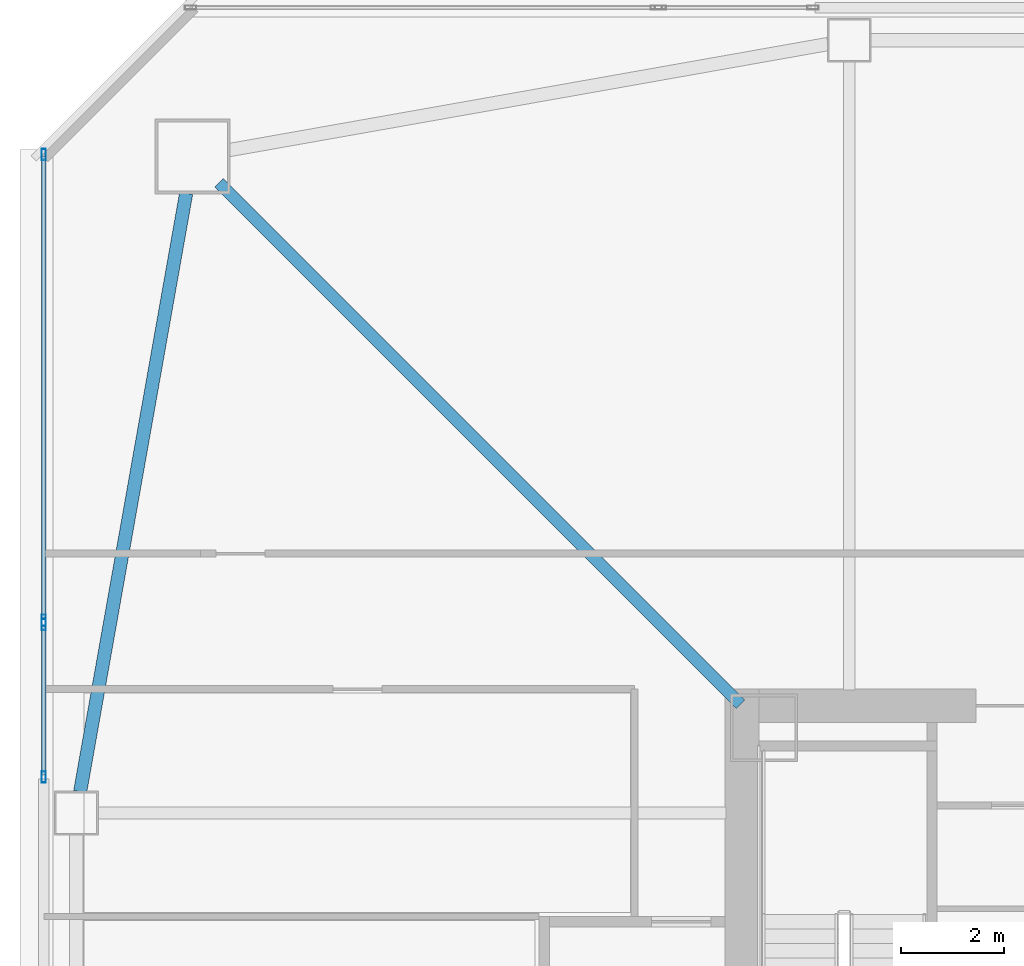
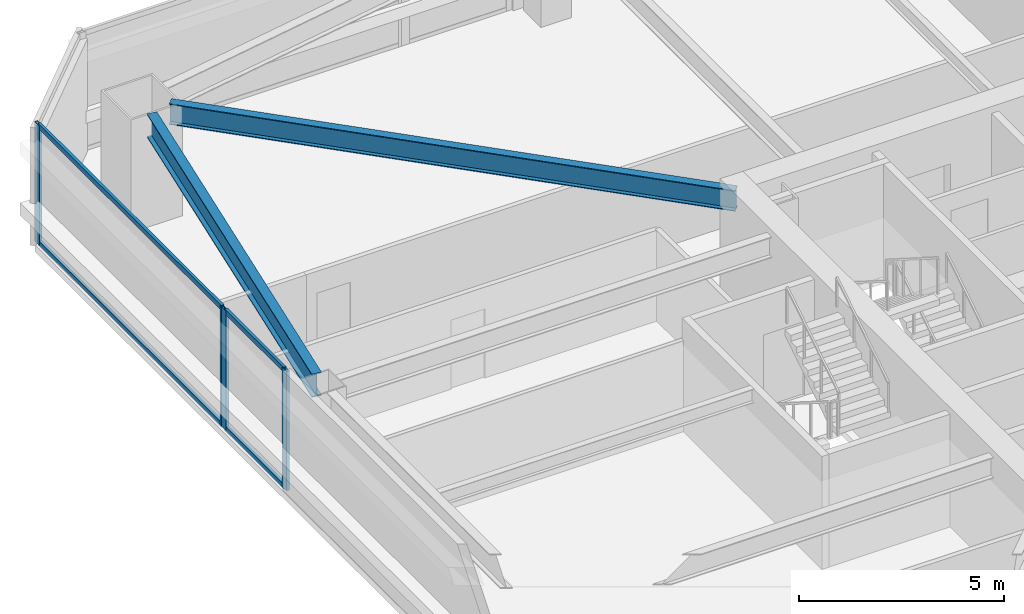
# One storey, part 11 of 46: 8 members, 2 beams, 2 elements without a shape of their own.
"""IFC4 building model written with IfcOpenShell, lengths in metres."""

from ifc_helpers import new_model, si_unit, direction, frame, origin, origin_2d, place, context, subcontext, project, spatial, hollow_rectangle, i_section, extrude, material, material_profile, profile_set, type_object, element, aggregate, save


model = new_model("IFC4")

# Units and contexts
model_context = context("Model", 3, precision=1e-05, world=origin(), true_north=direction((0.0, 1.0)))
body_context = subcontext(model_context, "Body", "Model", "MODEL_VIEW")
ifc_project = project(units=[si_unit("LENGTHUNIT", "METRE"), si_unit("AREAUNIT", "SQUARE_METRE"), si_unit("VOLUMEUNIT", "CUBIC_METRE"), si_unit("PLANEANGLEUNIT", "RADIAN"), si_unit("MASSUNIT", "GRAM", prefix="KILO")], contexts=[model_context])

# Site, building, storey
site_placement = place(None, origin())
site = spatial("IfcSite", under=ifc_project, at=site_placement, CompositionType="ELEMENT")
building_placement = place(site_placement, origin())
building = spatial("IfcBuilding", under=site, at=building_placement, Name="Tashvorn Skyway Center", CompositionType="ELEMENT")
storey_placement = place(building_placement, frame((0.0, 0.0, 99.14990234375)))
storey = spatial("IfcBuildingStorey", under=building, at=storey_placement, Name="L26", CompositionType="ELEMENT", Elevation=99.14990234375)

# Beams
ifc_material_1 = material(Name="Steel ASTM A992 Grade 50", Category="steel")
ifc_material_profile_1 = material_profile(ifc_material_1, i_section(OverallWidth=0.22998046875, OverallDepth=0.616943359375, WebThickness=0.01318359375, FlangeThickness=0.022216796875, at=origin_2d()), Name="W24X94")
ifc_profile_set_1 = profile_set([ifc_material_profile_1], Name="Steel ASTM A992 Grade 50")
beam_type_1 = type_object("IfcBeamType", Name="BM-BEAM-W24X94", PredefinedType="BEAM", material=ifc_profile_set_1)
beam_1_placement = place(storey_placement, frame((24.4091796875, 49.5908203125, 3.04150390625), z_axis=(0.707106781187, -0.707106781187, 0.0), x_axis=(0.707106781187, 0.707106781187, 0.0)))
element("IfcBeam", 1, at=beam_1_placement, inside=storey, type_object=beam_type_1, Name="Tower 1 L26 Primary Floor Girder MC-NW", PredefinedType="BEAM", context=body_context, shape_type="SweptSolid", body=[
    extrude(i_section(OverallWidth=0.22998046875, OverallDepth=0.616943359375, WebThickness=0.01318359375, FlangeThickness=0.022216796875, at=origin_2d()), origin(), (0.0, 0.0, 1.0), 14.261962890625),
])
ifc_material_profile_2 = material_profile(ifc_material_1, i_section(OverallWidth=0.256103515625, OverallDepth=0.693115234375, WebThickness=0.014404296875, FlangeThickness=0.023681640625, at=origin_2d()), Name="W27X114")
ifc_profile_set_2 = profile_set([ifc_material_profile_2], Name="Steel ASTM A992 Grade 50")
beam_type_2 = type_object("IfcBeamType", Name="BM-SPANDREL-W27X114", PredefinedType="SPANDREL", material=ifc_profile_set_2)
beam_2_placement = place(storey_placement, frame((23.7744140625, 49.39111328125, 3.003662109375), z_axis=(-0.174437966698, -0.98466816531, 0.0), x_axis=(0.98466816531, -0.174437966698, 0.0)))
element("IfcBeam", 2, at=beam_2_placement, inside=storey, type_object=beam_type_2, Name="Tower 1 L26 Spandrel Beam 10", PredefinedType="SPANDREL", context=body_context, shape_type="SweptSolid", body=[
    extrude(i_section(OverallWidth=0.256103515625, OverallDepth=0.693115234375, WebThickness=0.014404296875, FlangeThickness=0.023681640625, at=origin_2d()), origin(), (0.0, 0.0, 1.0), 11.7578125),
])

# Curtain wall, members
ifc_material_2 = material(Name="Thermally broken bronze-anodized aluminium 6063-T6", Category="aluminium")
curtain_wall_type = type_object("IfcCurtainWallType", Name="CW-CW-Z2", PredefinedType="NOTDEFINED", material=ifc_material_2)
curtain_wall_1_placement = place(storey_placement, origin())
curtain_wall_1 = element("IfcCurtainWall", 3, at=curtain_wall_1_placement, inside=storey, type_object=curtain_wall_type, Name="Tower 1 L26 West Unitised Curtain Wall Glazing Group 3", PredefinedType="NOTDEFINED")
ifc_material_profile_3 = material_profile(ifc_material_2, hollow_rectangle(XDim=0.080078125, YDim=0.219970703125, WallThickness=0.0048828125, at=origin_2d()), Name="ALU-MULL-80x220")
ifc_profile_set_3 = profile_set([ifc_material_profile_3], Name="Thermally broken bronze-anodized aluminium 6063-T6")
member_type_1 = type_object("IfcMemberType", Name="CWM-CW-Z2", PredefinedType="MULLION", material=ifc_profile_set_3)
member_1_placement = place(storey_placement, frame((21.02001953125, 38.10009765625, 0.0), z_axis=(0.0, 0.0, 1.0), x_axis=(-1.0, 0.0, 0.0)))
member_1 = element("IfcMember", 4, at=member_1_placement, type_object=member_type_1, Name="CW-Z2 mullion 1", PredefinedType="MULLION", context=body_context, shape_type="SweptSolid", body=[
    extrude(hollow_rectangle(XDim=0.080078125, YDim=0.219970703125, WallThickness=0.0048828125, at=origin_2d()), origin(), (0.0, 0.0, 1.0), 3.550048828125),
])
member_2_placement = place(storey_placement, frame((21.02001953125, 41.050048828125, 0.0), z_axis=(0.0, 0.0, 1.0), x_axis=(-1.0, 0.0, 0.0)))
member_2 = element("IfcMember", 5, at=member_2_placement, type_object=member_type_1, Name="CW-Z2 mullion 2", PredefinedType="MULLION", context=body_context, shape_type="SweptSolid", body=[
    extrude(hollow_rectangle(XDim=0.080078125, YDim=0.219970703125, WallThickness=0.0048828125, at=origin_2d()), origin(), (0.0, 0.0, 1.0), 3.550048828125),
])

curtain_wall_2_placement = place(storey_placement, origin())
curtain_wall_2 = element("IfcCurtainWall", 6, at=curtain_wall_2_placement, inside=storey, type_object=curtain_wall_type, Name="Tower 1 L26 West Unitised Curtain Wall Glazing Group 4", PredefinedType="NOTDEFINED")
member_3_placement = place(storey_placement, frame((21.02001953125, 41.1298828125, 0.0), z_axis=(0.0, 0.0, 1.0), x_axis=(-1.0, 0.0, 0.0)))
member_3 = element("IfcMember", 7, at=member_3_placement, type_object=member_type_1, Name="CW-Z2 mullion 1", PredefinedType="MULLION", context=body_context, shape_type="SweptSolid", body=[
    extrude(hollow_rectangle(XDim=0.080078125, YDim=0.219970703125, WallThickness=0.0048828125, at=origin_2d()), origin(), (0.0, 0.0, 1.0), 3.550048828125),
])
member_4_placement = place(storey_placement, frame((21.02001953125, 50.139892578125, 0.0), z_axis=(0.0, 0.0, 1.0), x_axis=(-1.0, 0.0, 0.0)))
member_4 = element("IfcMember", 8, at=member_4_placement, type_object=member_type_1, Name="CW-Z2 mullion 2", PredefinedType="MULLION", context=body_context, shape_type="SweptSolid", body=[
    extrude(hollow_rectangle(XDim=0.080078125, YDim=0.219970703125, WallThickness=0.0048828125, at=origin_2d()), origin(), (0.0, 0.0, 1.0), 3.550048828125),
])

# Member
ifc_material_profile_4 = material_profile(ifc_material_2, hollow_rectangle(XDim=0.080078125, YDim=0.14990234375, WallThickness=0.00439453125, at=origin_2d()), Name="ALU-TRAN-80x150")
ifc_profile_set_4 = profile_set([ifc_material_profile_4], Name="Thermally broken bronze-anodized aluminium 6063-T6")
member_type_2 = type_object("IfcMemberType", Name="CWT-CW-Z2", PredefinedType="USERDEFINED", material=ifc_profile_set_4)
member_5_placement = place(storey_placement, frame((21.02001953125, 38.139892578125, 0.0400390625), z_axis=(0.0, 1.0, 0.0), x_axis=(-1.0, 0.0, 0.0)))
member_5 = element("IfcMember", 9, at=member_5_placement, type_object=member_type_2, Name="CW-Z2 transom 1.1", ObjectType="TRANSOM", PredefinedType="USERDEFINED", context=body_context, shape_type="SweptSolid", body=[
    extrude(hollow_rectangle(XDim=0.080078125, YDim=0.14990234375, WallThickness=0.00439453125, at=origin_2d()), origin(), (0.0, 0.0, 1.0), 2.8701171875),
])

member_6_placement = place(storey_placement, frame((21.02001953125, 38.139892578125, 3.510009765625), z_axis=(0.0, 1.0, 0.0), x_axis=(-1.0, 0.0, 0.0)))
member_6 = element("IfcMember", 10, at=member_6_placement, type_object=member_type_2, Name="CW-Z2 transom 1.2", ObjectType="TRANSOM", PredefinedType="USERDEFINED", context=body_context, shape_type="SweptSolid", body=[
    extrude(hollow_rectangle(XDim=0.080078125, YDim=0.14990234375, WallThickness=0.00439453125, at=origin_2d()), origin(), (0.0, 0.0, 1.0), 2.8701171875),
])

aggregate(curtain_wall_1, [member_1, member_2, member_5, member_6])

member_7_placement = place(storey_placement, frame((21.02001953125, 41.169921875, 0.0400390625), z_axis=(0.0, 1.0, 0.0), x_axis=(-1.0, 0.0, 0.0)))
member_7 = element("IfcMember", 11, at=member_7_placement, type_object=member_type_2, Name="CW-Z2 transom 1.1", ObjectType="TRANSOM", PredefinedType="USERDEFINED", context=body_context, shape_type="SweptSolid", body=[
    extrude(hollow_rectangle(XDim=0.080078125, YDim=0.14990234375, WallThickness=0.00439453125, at=origin_2d()), origin(), (0.0, 0.0, 1.0), 8.93017578125),
])

member_8_placement = place(storey_placement, frame((21.02001953125, 41.169921875, 3.510009765625), z_axis=(0.0, 1.0, 0.0), x_axis=(-1.0, 0.0, 0.0)))
member_8 = element("IfcMember", 12, at=member_8_placement, type_object=member_type_2, Name="CW-Z2 transom 1.2", ObjectType="TRANSOM", PredefinedType="USERDEFINED", context=body_context, shape_type="SweptSolid", body=[
    extrude(hollow_rectangle(XDim=0.080078125, YDim=0.14990234375, WallThickness=0.00439453125, at=origin_2d()), origin(), (0.0, 0.0, 1.0), 8.93017578125),
])

aggregate(curtain_wall_2, [member_3, member_4, member_7, member_8])

save(model, "model.ifc")
